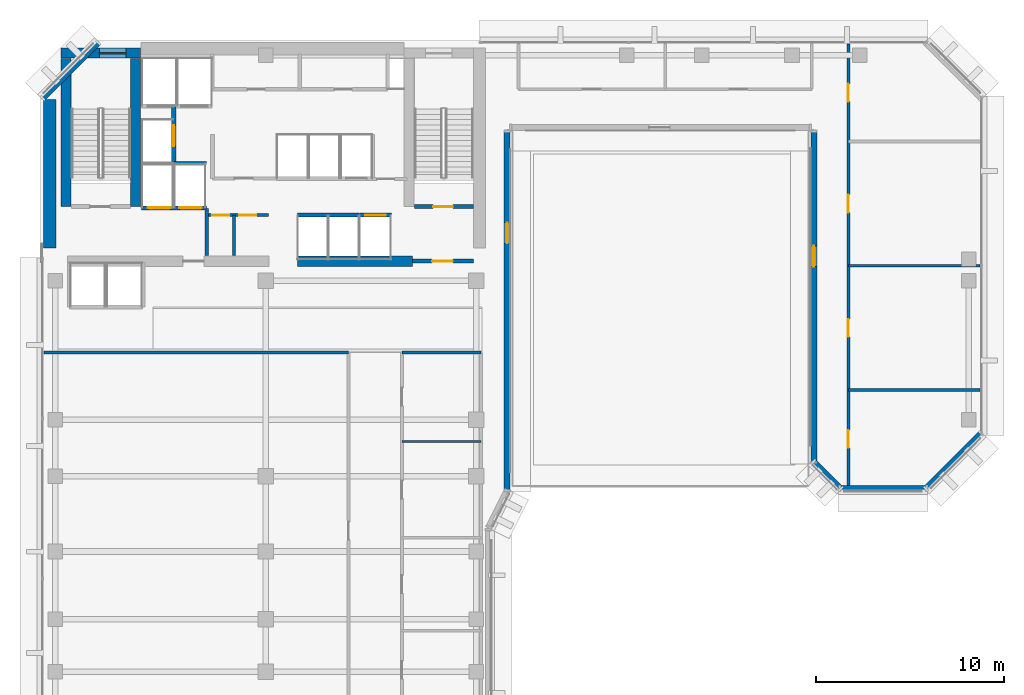
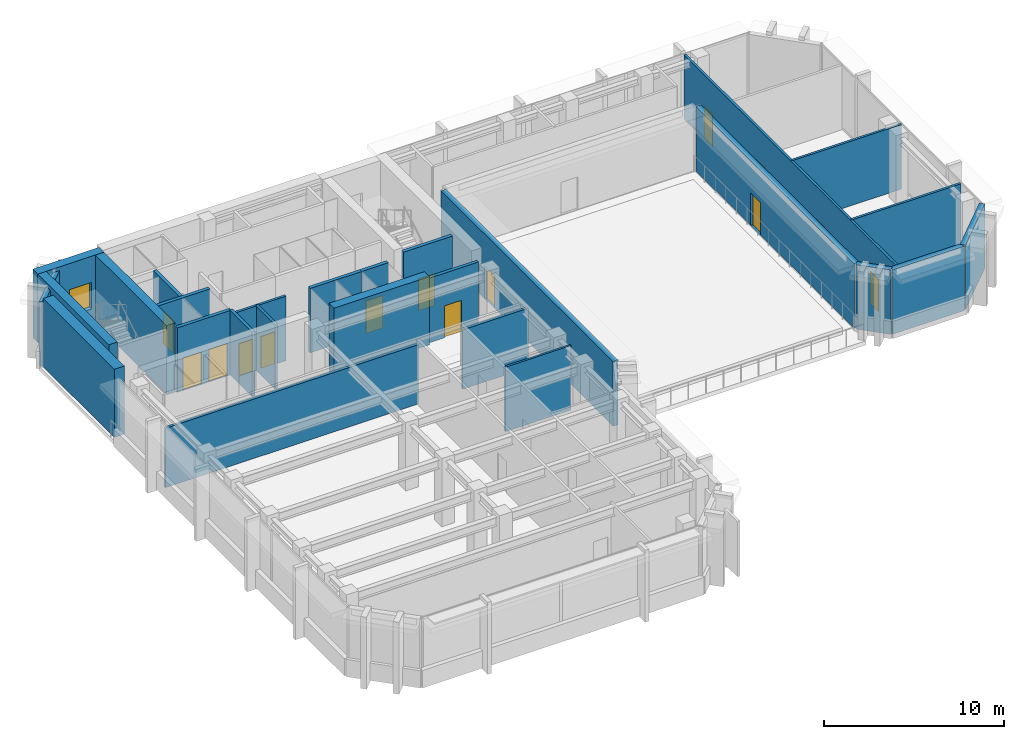
# One storey, part 7 of 12: 27 walls, 14 doors, 1 window, 15 openings.
"""IFC4 building model written with IfcOpenShell, lengths in metres."""

from ifc_helpers import new_model, si_unit, direction, frame, frame_2d, origin, place, context, subcontext, project, spatial, rectangle, extrude, material, layer, layer_set, type_object, element, fill, save


model = new_model("IFC4")

# Units and contexts
model_context = context("Model", 3, precision=1e-05, world=origin(), true_north=direction((0.0, 1.0)))
body_context = subcontext(model_context, "Body", "Model", "MODEL_VIEW")
ifc_project = project(units=[si_unit("LENGTHUNIT", "METRE"), si_unit("AREAUNIT", "SQUARE_METRE"), si_unit("VOLUMEUNIT", "CUBIC_METRE"), si_unit("PLANEANGLEUNIT", "RADIAN"), si_unit("MASSUNIT", "GRAM", prefix="KILO")], contexts=[model_context])

# Site, building, storey
site_placement = place(None, origin())
site = spatial("IfcSite", under=ifc_project, at=site_placement, CompositionType="ELEMENT")
building_placement = place(site_placement, origin())
building = spatial("IfcBuilding", under=site, at=building_placement, Name="Kefirva Bronze Tower", CompositionType="ELEMENT")
storey_placement = place(building_placement, frame((0.0, 0.0, 215.159912109375)))
storey = spatial("IfcBuildingStorey", under=building, at=storey_placement, Name="L52", CompositionType="ELEMENT", Elevation=215.159912109375)

# Wall
ifc_material_1 = material(Name="Gypsum acoustic partition")
ifc_layer_1 = layer(ifc_material_1, 0.1298828125, Name="Gypsum acoustic partition")
ifc_layer_set_1 = layer_set([ifc_layer_1], Name="Gypsum acoustic partition")
wall_type_1 = type_object("IfcWallType", Name="Acoustic Office Partition 130mm", PredefinedType="PARTITIONING", material=ifc_layer_set_1)
wall_1_placement = place(storey_placement, frame((19.239990234375, 24.64990234375, 0.0), z_axis=(0.0, 0.0, 1.0), x_axis=(1.0, 0.0, 0.0)))
element("IfcWall", 1, at=wall_1_placement, inside=storey, type_object=wall_type_1, Name="L52 Partition W-L52-SED3", PredefinedType="PARTITIONING", context=body_context, shape_type="SweptSolid", body=[
    extrude(rectangle(XDim=4.2099609375, YDim=0.1298828125, at=frame_2d((2.10498046875, 0.0))), origin(), (0.0, 0.0, 1.0), 4.3701171875),
])

# Wall, openings, doors
ifc_layer_2 = layer(ifc_material_1, 0.14990234375, Name="Gypsum acoustic partition")
ifc_layer_set_2 = layer_set([ifc_layer_2], Name="Gypsum acoustic partition")
wall_type_2 = type_object("IfcWallType", Name="Executive Suite Partition 150mm", PredefinedType="PARTITIONING", material=ifc_layer_set_2)
wall_2_placement = place(storey_placement, frame((43.0, 22.18994140625, 0.0), z_axis=(0.0, 0.0, 1.0), x_axis=(0.0, 1.0, 0.0)))
wall_2 = element("IfcWall", 2, at=wall_2_placement, inside=storey, type_object=wall_type_2, Name="L52 Partition W-L52-PVEST", PredefinedType="PARTITIONING", context=body_context, shape_type="SweptSolid", body=[
    extrude(rectangle(XDim=23.6201171875, YDim=0.14990234375, at=frame_2d((11.81005859375, 0.0))), origin(), (0.0, 0.0, 1.0), 4.3701171875),
])
opening_1_placement = place(wall_2_placement, frame((2.123291015625, 0.0, 0.0)))
opening_1 = element("IfcOpeningElement", 3, at=opening_1_placement, cuts=wall_2, Name="Opening L52-D-EPV1", PredefinedType="OPENING", context=body_context, shape_type="SweptSolid", body=[
    extrude(rectangle(XDim=0.949951171875, YDim=2.14990234375, at=frame_2d((0.47509765625, 1.074951171875))), frame((0.0, 0.0849609375, 0.0), z_axis=(0.0, -1.0, 0.0), x_axis=(1.0, 0.0, 0.0)), (0.0, 0.0, 1.0), 0.169921875),
])
opening_2_placement = place(wall_2_placement, frame((8.0283203125, 0.0, 0.0)))
opening_2 = element("IfcOpeningElement", 4, at=opening_2_placement, cuts=wall_2, Name="Opening L52-D-EPV2", PredefinedType="OPENING", context=body_context, shape_type="SweptSolid", body=[
    extrude(rectangle(XDim=0.949951171875, YDim=2.14990234375, at=frame_2d((0.47509765625, 1.074951171875))), frame((0.0, 0.0849609375, 0.0), z_axis=(0.0, -1.0, 0.0), x_axis=(1.0, 0.0, 0.0)), (0.0, 0.0, 1.0), 0.169921875),
])
opening_3_placement = place(wall_2_placement, frame((14.641845703125, 0.0, 0.0)))
opening_3 = element("IfcOpeningElement", 5, at=opening_3_placement, cuts=wall_2, Name="Opening L52-D-EPV3", PredefinedType="OPENING", context=body_context, shape_type="SweptSolid", body=[
    extrude(rectangle(XDim=0.949951171875, YDim=2.14990234375, at=frame_2d((0.47509765625, 1.074951171875))), frame((0.0, 0.0849609375, 0.0), z_axis=(0.0, -1.0, 0.0), x_axis=(1.0, 0.0, 0.0)), (0.0, 0.0, 1.0), 0.169921875),
])
opening_4_placement = place(wall_2_placement, frame((20.546875, 0.0, 0.0)))
opening_4 = element("IfcOpeningElement", 6, at=opening_4_placement, cuts=wall_2, Name="Opening L52-D-EPV4", PredefinedType="OPENING", context=body_context, shape_type="SweptSolid", body=[
    extrude(rectangle(XDim=0.949951171875, YDim=2.14990234375, at=frame_2d((0.47509765625, 1.074951171875))), frame((0.0, 0.0849609375, 0.0), z_axis=(0.0, -1.0, 0.0), x_axis=(1.0, 0.0, 0.0)), (0.0, 0.0, 1.0), 0.169921875),
])
ifc_material_2 = material(Name="Acoustic hardwood oak", Category="wood")
door_type_1 = type_object("IfcDoorType", Name="Office & Meeting Room Door 950x2150", OperationType="NOTDEFINED", PredefinedType="DOOR", material=ifc_material_2)
door_1_placement = place(opening_1_placement, origin())
door_1 = element("IfcDoor", 7, at=door_1_placement, inside=storey, type_object=door_type_1, Name="Door L52-D-EPV1", OperationType="SINGLE_SWING_LEFT", OverallHeight=2.14990234375, OverallWidth=0.949951171875, PredefinedType="DOOR", context=body_context, shape_type="SweptSolid", body=[
    extrude(rectangle(XDim=0.949951171875, YDim=2.14990234375, at=frame_2d((0.47509765625, 1.074951171875))), frame((0.0, 0.02490234375, 0.0), z_axis=(0.0, -1.0, 0.0), x_axis=(1.0, 0.0, 0.0)), (0.0, 0.0, 1.0), 0.050048828125),
])
fill(opening_1, door_1)
door_2_placement = place(opening_2_placement, origin())
door_2 = element("IfcDoor", 8, at=door_2_placement, inside=storey, type_object=door_type_1, Name="Door L52-D-EPV2", OperationType="SINGLE_SWING_RIGHT", OverallHeight=2.14990234375, OverallWidth=0.949951171875, PredefinedType="DOOR", context=body_context, shape_type="SweptSolid", body=[
    extrude(rectangle(XDim=0.949951171875, YDim=2.14990234375, at=frame_2d((0.47509765625, 1.074951171875))), frame((0.0, 0.02490234375, 0.0), z_axis=(0.0, -1.0, 0.0), x_axis=(1.0, 0.0, 0.0)), (0.0, 0.0, 1.0), 0.050048828125),
])
fill(opening_2, door_2)
door_3_placement = place(opening_3_placement, origin())
door_3 = element("IfcDoor", 9, at=door_3_placement, inside=storey, type_object=door_type_1, Name="Door L52-D-EPV3", OperationType="SINGLE_SWING_LEFT", OverallHeight=2.14990234375, OverallWidth=0.949951171875, PredefinedType="DOOR", context=body_context, shape_type="SweptSolid", body=[
    extrude(rectangle(XDim=0.949951171875, YDim=2.14990234375, at=frame_2d((0.47509765625, 1.074951171875))), frame((0.0, 0.02490234375, 0.0), z_axis=(0.0, -1.0, 0.0), x_axis=(1.0, 0.0, 0.0)), (0.0, 0.0, 1.0), 0.050048828125),
])
fill(opening_3, door_3)
door_4_placement = place(opening_4_placement, origin())
door_4 = element("IfcDoor", 10, at=door_4_placement, inside=storey, type_object=door_type_1, Name="Door L52-D-EPV4", OperationType="SINGLE_SWING_RIGHT", OverallHeight=2.14990234375, OverallWidth=0.949951171875, PredefinedType="DOOR", context=body_context, shape_type="SweptSolid", body=[
    extrude(rectangle(XDim=0.949951171875, YDim=2.14990234375, at=frame_2d((0.47509765625, 1.074951171875))), frame((0.0, 0.02490234375, 0.0), z_axis=(0.0, -1.0, 0.0), x_axis=(1.0, 0.0, 0.0)), (0.0, 0.0, 1.0), 0.050048828125),
])
fill(opening_4, door_4)

# Walls
for number, where, z_axis, x_axis, name in (
    (11, (43.0, 27.386474609375, 0.0), (0.0, 0.0, 1.0), (1.0, 0.0, 0.0), "L52 Partition W-L52-EPVD1"),
    (12, (43.0, 34.0, 0.0), (0.0, 0.0, 1.0), (1.0, 0.0, 0.0), "L52 Partition W-L52-EPVD2"),
):
    element("IfcWall", number, at=place(storey_placement, frame(where, z_axis=z_axis, x_axis=x_axis)), inside=storey, type_object=wall_type_2, Name=name, PredefinedType="PARTITIONING", context=body_context, shape_type="SweptSolid", body=[
        extrude(rectangle(XDim=7.010009765625, YDim=0.14990234375, at=frame_2d((3.5048828125, 0.0))), origin(), (0.0, 0.0, 1.0), 4.3701171875),
    ])

# Wall, opening, door
ifc_material_3 = material(Name="Gypsum fireboard shaftwall")
ifc_layer_3 = layer(ifc_material_3, 0.219970703125, Name="Gypsum fireboard shaftwall")
ifc_layer_set_3 = layer_set([ifc_layer_3], Name="Gypsum fireboard shaftwall")
wall_type_3 = type_object("IfcWallType", Name="Fire-Rated Shaft Enclosure Wall 220mm", PredefinedType="PARTITIONING", material=ifc_layer_set_3)
wall_3_placement = place(storey_placement, frame((19.89990234375, 37.14990234375, 0.0), z_axis=(0.0, 0.0, 1.0), x_axis=(1.0, 0.0, 0.0)))
wall_3 = element("IfcWall", 13, at=wall_3_placement, inside=storey, type_object=wall_type_3, Name="L52 Partition W-L52-ST2S", PredefinedType="PARTITIONING", context=body_context, shape_type="SweptSolid", body=[
    extrude(rectangle(XDim=3.150146484375, YDim=0.219970703125, at=frame_2d((1.5751953125, 0.0))), origin(), (0.0, 0.0, 1.0), 4.3701171875),
])
opening_5_placement = place(wall_3_placement, frame((2.050048828125, 0.0, 0.0), z_axis=(0.0, 0.0, 1.0), x_axis=(-1.0, 0.0, 0.0)))
opening_5 = element("IfcOpeningElement", 14, at=opening_5_placement, cuts=wall_3, Name="Opening L52-D003", PredefinedType="OPENING", context=body_context, shape_type="SweptSolid", body=[
    extrude(rectangle(XDim=1.050048828125, YDim=2.14990234375, at=frame_2d((0.52490234375, 1.074951171875))), frame((0.0, 0.1201171875, 0.0), z_axis=(0.0, -1.0, 0.0), x_axis=(1.0, 0.0, 0.0)), (0.0, 0.0, 1.0), 0.239990234375),
])
ifc_material_4 = material(Name="Painted galvanized steel", Category="steel")
door_type_2 = type_object("IfcDoorType", Name="Fire Stair Enclosure Door 1050x2150 FD90S", OperationType="NOTDEFINED", PredefinedType="DOOR", material=ifc_material_4)
door_5_placement = place(opening_5_placement, origin())
door_5 = element("IfcDoor", 15, at=door_5_placement, inside=storey, type_object=door_type_2, Name="Door L52-D003", OperationType="SINGLE_SWING_RIGHT", OverallHeight=2.14990234375, OverallWidth=1.050048828125, PredefinedType="DOOR", context=body_context, shape_type="SweptSolid", body=[
    extrude(rectangle(XDim=1.050048828125, YDim=2.14990234375, at=frame_2d((0.52490234375, 1.074951171875))), frame((0.0, 0.02490234375, 0.0), z_axis=(0.0, -1.0, 0.0), x_axis=(1.0, 0.0, 0.0)), (0.0, 0.0, 1.0), 0.050048828125),
])
fill(opening_5, door_5)

# Wall, openings, doors
wall_4_placement = place(storey_placement, frame((5.3798828125, 37.080078125, 0.0), z_axis=(0.0, 0.0, 1.0), x_axis=(1.0, 0.0, 0.0)))
wall_4 = element("IfcWall", 16, at=wall_4_placement, inside=storey, type_object=wall_type_3, Name="L52 Partition W-L52-FFS", PredefinedType="PARTITIONING", context=body_context, shape_type="SweptSolid", body=[
    extrude(rectangle(XDim=3.460205078125, YDim=0.219970703125, at=frame_2d((1.72998046875, 0.0))), origin(), (0.0, 0.0, 1.0), 4.3701171875),
])
opening_6_placement = place(wall_4_placement, frame((1.550048828125, 0.0, 0.0), z_axis=(0.0, 0.0, 1.0), x_axis=(-1.0, 0.0, 0.0)))
opening_6 = element("IfcOpeningElement", 17, at=opening_6_placement, cuts=wall_4, Name="Opening L52-LD-FF1", PredefinedType="OPENING", context=body_context, shape_type="SweptSolid", body=[
    extrude(rectangle(XDim=1.199951171875, YDim=2.199951171875, at=frame_2d((0.60009765625, 1.10009765625))), frame((0.0, 0.1201171875, 0.0), z_axis=(0.0, -1.0, 0.0), x_axis=(1.0, 0.0, 0.0)), (0.0, 0.0, 1.0), 0.239990234375),
])
opening_7_placement = place(wall_4_placement, frame((3.219970703125, 0.0, 0.0), z_axis=(0.0, 0.0, 1.0), x_axis=(-1.0, 0.0, 0.0)))
opening_7 = element("IfcOpeningElement", 18, at=opening_7_placement, cuts=wall_4, Name="Opening L52-LD-FF2", PredefinedType="OPENING", context=body_context, shape_type="SweptSolid", body=[
    extrude(rectangle(XDim=1.199951171875, YDim=2.199951171875, at=frame_2d((0.60009765625, 1.10009765625))), frame((0.0, 0.1201171875, 0.0), z_axis=(0.0, -1.0, 0.0), x_axis=(1.0, 0.0, 0.0)), (0.0, 0.0, 1.0), 0.239990234375),
])
ifc_material_5 = material(Name="Stainless steel 316", Category="steel")
door_type_3 = type_object("IfcDoorType", Name="Firefighting Lift Sliding Door 1200x2200", OperationType="SLIDING_TO_RIGHT", PredefinedType="DOOR", material=ifc_material_5)
door_6_placement = place(opening_6_placement, origin())
door_6 = element("IfcDoor", 19, at=door_6_placement, inside=storey, type_object=door_type_3, Name="Door L52-LD-FF1", OperationType="SLIDING_TO_RIGHT", OverallHeight=2.199951171875, OverallWidth=1.199951171875, PredefinedType="DOOR", context=body_context, shape_type="SweptSolid", body=[
    extrude(rectangle(XDim=1.199951171875, YDim=2.199951171875, at=frame_2d((0.60009765625, 1.10009765625))), frame((0.0, 0.02490234375, 0.0), z_axis=(0.0, -1.0, 0.0), x_axis=(1.0, 0.0, 0.0)), (0.0, 0.0, 1.0), 0.050048828125),
])
fill(opening_6, door_6)
door_7_placement = place(opening_7_placement, origin())
door_7 = element("IfcDoor", 20, at=door_7_placement, inside=storey, type_object=door_type_3, Name="Door L52-LD-FF2", OperationType="SLIDING_TO_RIGHT", OverallHeight=2.199951171875, OverallWidth=1.199951171875, PredefinedType="DOOR", context=body_context, shape_type="SweptSolid", body=[
    extrude(rectangle(XDim=1.199951171875, YDim=2.199951171875, at=frame_2d((0.60009765625, 1.10009765625))), frame((0.0, 0.02490234375, 0.0), z_axis=(0.0, -1.0, 0.0), x_axis=(1.0, 0.0, 0.0)), (0.0, 0.0, 1.0), 0.050048828125),
])
fill(opening_7, door_7)

# Wall
wall_5_placement = place(storey_placement, frame((5.3798828125, 39.449951171875, 0.0), z_axis=(0.0, 0.0, 1.0), x_axis=(1.0, 0.0, 0.0)))
element("IfcWall", 21, at=wall_5_placement, inside=storey, type_object=wall_type_3, Name="L52 Partition W-L52-FFN", PredefinedType="PARTITIONING", context=body_context, shape_type="SweptSolid", body=[
    extrude(rectangle(XDim=3.460205078125, YDim=0.219970703125, at=frame_2d((1.72998046875, 0.0))), origin(), (0.0, 0.0, 1.0), 4.3701171875),
])

# Wall, opening, door
wall_6_placement = place(storey_placement, frame((7.10009765625, 39.52001953125, 0.0), z_axis=(0.0, 0.0, 1.0), x_axis=(0.0, 1.0, 0.0)))
wall_6 = element("IfcWall", 22, at=wall_6_placement, inside=storey, type_object=wall_type_3, Name="L52 Partition W-L52-HP3E", PredefinedType="PARTITIONING", context=body_context, shape_type="SweptSolid", body=[
    extrude(rectangle(XDim=2.929931640625, YDim=0.219970703125, at=frame_2d((1.46484375, 0.0))), origin(), (0.0, 0.0, 1.0), 4.3701171875),
])
opening_8_placement = place(wall_6_placement, frame((0.85009765625, 0.0, 0.0)))
opening_8 = element("IfcOpeningElement", 23, at=opening_8_placement, cuts=wall_6, Name="Opening L52-LD-HP3", PredefinedType="OPENING", context=body_context, shape_type="SweptSolid", body=[
    extrude(rectangle(XDim=1.10009765625, YDim=2.199951171875, at=frame_2d((0.550048828125, 1.10009765625))), frame((0.0, 0.1201171875, 0.0), z_axis=(0.0, -1.0, 0.0), x_axis=(1.0, 0.0, 0.0)), (0.0, 0.0, 1.0), 0.239990234375),
])
door_type_4 = type_object("IfcDoorType", Name="Passenger Lift Sliding Landing Door 1100x2200", OperationType="SLIDING_TO_LEFT", PredefinedType="DOOR", material=ifc_material_5)
door_8_placement = place(opening_8_placement, origin())
door_8 = element("IfcDoor", 24, at=door_8_placement, inside=storey, type_object=door_type_4, Name="Door L52-LD-HP3", OperationType="SLIDING_TO_LEFT", OverallHeight=2.199951171875, OverallWidth=1.10009765625, PredefinedType="DOOR", context=body_context, shape_type="SweptSolid", body=[
    extrude(rectangle(XDim=1.10009765625, YDim=2.199951171875, at=frame_2d((0.550048828125, 1.10009765625))), frame((0.0, 0.02490234375, 0.0), z_axis=(0.0, -1.0, 0.0), x_axis=(1.0, 0.0, 0.0)), (0.0, 0.0, 1.0), 0.050048828125),
])
fill(opening_8, door_8)

# Wall
wall_7_placement = place(storey_placement, frame((13.679931640625, 36.699951171875, 0.0), z_axis=(0.0, 0.0, 1.0), x_axis=(1.0, 0.0, 0.0)))
element("IfcWall", 25, at=wall_7_placement, inside=storey, type_object=wall_type_3, Name="L52 Partition W-L52-MPS", PredefinedType="PARTITIONING", context=body_context, shape_type="SweptSolid", body=[
    extrude(rectangle(XDim=3.280029296875, YDim=0.219970703125, at=frame_2d((1.64013671875, 0.0))), origin(), (0.0, 0.0, 1.0), 4.3701171875),
])

# Wall, opening, door
wall_8_placement = place(storey_placement, frame((16.97998046875, 36.699951171875, 0.0), z_axis=(0.0, 0.0, 1.0), x_axis=(1.0, 0.0, 0.0)))
wall_8 = element("IfcWall", 26, at=wall_8_placement, inside=storey, type_object=wall_type_3, Name="L52 Partition W-L52-HPS", PredefinedType="PARTITIONING", context=body_context, shape_type="SweptSolid", body=[
    extrude(rectangle(XDim=1.699951171875, YDim=0.219970703125, at=frame_2d((0.85009765625, 0.0))), origin(), (0.0, 0.0, 1.0), 4.3701171875),
])
opening_9_placement = place(wall_8_placement, frame((0.300048828125, 0.0, 0.0)))
opening_9 = element("IfcOpeningElement", 27, at=opening_9_placement, cuts=wall_8, Name="Opening L52-LD-HP1", PredefinedType="OPENING", context=body_context, shape_type="SweptSolid", body=[
    extrude(rectangle(XDim=1.10009765625, YDim=2.199951171875, at=frame_2d((0.550048828125, 1.10009765625))), frame((0.0, 0.1201171875, 0.0), z_axis=(0.0, -1.0, 0.0), x_axis=(1.0, 0.0, 0.0)), (0.0, 0.0, 1.0), 0.239990234375),
])
door_9_placement = place(opening_9_placement, origin())
door_9 = element("IfcDoor", 28, at=door_9_placement, inside=storey, type_object=door_type_4, Name="Door L52-LD-HP1", OperationType="SLIDING_TO_LEFT", OverallHeight=2.199951171875, OverallWidth=1.10009765625, PredefinedType="DOOR", context=body_context, shape_type="SweptSolid", body=[
    extrude(rectangle(XDim=1.10009765625, YDim=2.199951171875, at=frame_2d((0.550048828125, 1.10009765625))), frame((0.0, 0.02490234375, 0.0), z_axis=(0.0, -1.0, 0.0), x_axis=(1.0, 0.0, 0.0)), (0.0, 0.0, 1.0), 0.050048828125),
])
fill(opening_9, door_9)

# Wall
ifc_material_6 = material(Name="Gypsum fireboard barrier")
ifc_layer_4 = layer(ifc_material_6, 0.199951171875, Name="Gypsum fireboard barrier")
ifc_layer_set_4 = layer_set([ifc_layer_4], Name="Gypsum fireboard barrier")
wall_type_4 = type_object("IfcWallType", Name="Firefighting Lobby Barrier Wall 200mm", PredefinedType="PARTITIONING", material=ifc_layer_set_4)
wall_9_placement = place(storey_placement, frame((8.860107421875, 34.550048828125, 0.0), z_axis=(0.0, 0.0, 1.0), x_axis=(0.0, 1.0, 0.0)))
element("IfcWall", 29, at=wall_9_placement, inside=storey, type_object=wall_type_4, Name="L52 Partition W-L52-FFLE", PredefinedType="PARTITIONING", context=body_context, shape_type="SweptSolid", body=[
    extrude(rectangle(XDim=2.5, YDim=0.199951171875, at=frame_2d((1.25, 0.0))), origin(), (0.0, 0.0, 1.0), 4.3701171875),
])

# Wall, opening, door
wall_10_placement = place(storey_placement, frame((19.800048828125, 34.25, 0.0), z_axis=(0.0, 0.0, 1.0), x_axis=(1.0, 0.0, 0.0)))
wall_10 = element("IfcWall", 30, at=wall_10_placement, inside=storey, type_object=wall_type_4, Name="L52 Partition W-L52-ST2F", PredefinedType="PARTITIONING", context=body_context, shape_type="SweptSolid", body=[
    extrude(rectangle(XDim=3.25, YDim=0.199951171875, at=frame_2d((1.625, 0.0))), origin(), (0.0, 0.0, 1.0), 4.3701171875),
])
opening_10_placement = place(wall_10_placement, frame((2.150146484375, 0.0, 0.0), z_axis=(0.0, 0.0, 1.0), x_axis=(-1.0, 0.0, 0.0)))
opening_10 = element("IfcOpeningElement", 31, at=opening_10_placement, cuts=wall_10, Name="Opening L52-D004", PredefinedType="OPENING", context=body_context, shape_type="SweptSolid", body=[
    extrude(rectangle(XDim=1.10009765625, YDim=2.14990234375, at=frame_2d((0.550048828125, 1.074951171875))), frame((0.0, 0.10986328125, 0.0), z_axis=(0.0, -1.0, 0.0), x_axis=(1.0, 0.0, 0.0)), (0.0, 0.0, 1.0), 0.219970703125),
])
door_type_5 = type_object("IfcDoorType", Name="Firefighting Lobby Smoke Door 1100x2150 FD60S", OperationType="NOTDEFINED", PredefinedType="DOOR", material=ifc_material_4)
door_10_placement = place(opening_10_placement, origin())
door_10 = element("IfcDoor", 32, at=door_10_placement, inside=storey, type_object=door_type_5, Name="Door L52-D004", OperationType="SINGLE_SWING_LEFT", OverallHeight=2.14990234375, OverallWidth=1.10009765625, PredefinedType="DOOR", context=body_context, shape_type="SweptSolid", body=[
    extrude(rectangle(XDim=1.10009765625, YDim=2.14990234375, at=frame_2d((0.550048828125, 1.074951171875))), frame((0.0, 0.02490234375, 0.0), z_axis=(0.0, -1.0, 0.0), x_axis=(1.0, 0.0, 0.0)), (0.0, 0.0, 1.0), 0.050048828125),
])
fill(opening_10, door_10)

ifc_material_7 = material(Name="Precast concrete C40/50", Category="concrete")
ifc_layer_5 = layer(ifc_material_7, 0.320068359375, Name="Precast concrete C40/50")
ifc_layer_set_5 = layer_set([ifc_layer_5], Name="Precast concrete C40/50")
wall_type_5 = type_object("IfcWallType", Name="Precast Insulated Exterior Wall 320mm", PredefinedType="SOLIDWALL", material=ifc_layer_set_5)
wall_11_placement = place(storey_placement, frame((24.840087890625, 22.054931640625, 0.0), z_axis=(0.0, 0.0, 1.0), x_axis=(0.0, 1.0, 0.0)))
wall_11 = element("IfcWall", 33, at=wall_11_placement, inside=storey, type_object=wall_type_5, Name="L52 Exterior Facade Wall 4", PredefinedType="SOLIDWALL", context=body_context, shape_type="SweptSolid", body=[
    extrude(rectangle(XDim=19.090087890625, YDim=0.320068359375, at=frame_2d((9.544921875, 0.0))), origin(), (0.0, 0.0, 1.0), 4.3701171875),
])
opening_11_placement = place(wall_11_placement, frame((14.244873046875, 0.0, 0.0), z_axis=(0.0, 0.0, 1.0), x_axis=(-1.0, 0.0, 0.0)))
opening_11 = element("IfcOpeningElement", 34, at=opening_11_placement, cuts=wall_11, Name="Opening D-TR1", PredefinedType="OPENING", context=body_context, shape_type="SweptSolid", body=[
    extrude(rectangle(XDim=1.10009765625, YDim=2.199951171875, at=frame_2d((0.550048828125, 1.10009765625))), frame((0.0, 0.169921875, 0.0), z_axis=(0.0, -1.0, 0.0), x_axis=(1.0, 0.0, 0.0)), (0.0, 0.0, 1.0), 0.340087890625),
])
ifc_material_8 = material(Name="Bronze anodised aluminium", Category="aluminium")
door_type_6 = type_object("IfcDoorType", Name="Exterior Sky-Terrace Glazed Door 1100x2200", OperationType="NOTDEFINED", PredefinedType="DOOR", material=ifc_material_8)
door_11_placement = place(opening_11_placement, origin())
door_11 = element("IfcDoor", 35, at=door_11_placement, inside=storey, type_object=door_type_6, Name="L52 Sky-Garden Terrace Access Door", OperationType="SINGLE_SWING_LEFT", OverallHeight=2.199951171875, OverallWidth=1.10009765625, PredefinedType="DOOR", context=body_context, shape_type="SweptSolid", body=[
    extrude(rectangle(XDim=1.10009765625, YDim=2.199951171875, at=frame_2d((0.550048828125, 1.10009765625))), frame((0.0, 0.02490234375, 0.0), z_axis=(0.0, -1.0, 0.0), x_axis=(1.0, 0.0, 0.0)), (0.0, 0.0, 1.0), 0.050048828125),
])
fill(opening_11, door_11)

wall_12_placement = place(storey_placement, frame((41.159912109375, 41.14501953125, 0.0), z_axis=(0.0, 0.0, 1.0), x_axis=(0.0, -1.0, 0.0)))
wall_12 = element("IfcWall", 36, at=wall_12_placement, inside=storey, type_object=wall_type_5, Name="L52 Exterior Facade Wall 6", PredefinedType="SOLIDWALL", context=body_context, shape_type="SweptSolid", body=[
    extrude(rectangle(XDim=17.590087890625, YDim=0.320068359375, at=frame_2d((8.794921875, 0.0))), origin(), (0.0, 0.0, 1.0), 4.3701171875),
])
opening_12_placement = place(wall_12_placement, frame((7.184326171875, 0.0, 0.0), z_axis=(0.0, 0.0, 1.0), x_axis=(-1.0, 0.0, 0.0)))
opening_12 = element("IfcOpeningElement", 37, at=opening_12_placement, cuts=wall_12, Name="Opening D-TR1", PredefinedType="OPENING", context=body_context, shape_type="SweptSolid", body=[
    extrude(rectangle(XDim=1.10009765625, YDim=2.199951171875, at=frame_2d((0.550048828125, 1.10009765625))), frame((0.0, 0.169921875, 0.0), z_axis=(0.0, -1.0, 0.0), x_axis=(1.0, 0.0, 0.0)), (0.0, 0.0, 1.0), 0.340087890625),
])
door_12_placement = place(opening_12_placement, origin())
door_12 = element("IfcDoor", 38, at=door_12_placement, inside=storey, type_object=door_type_6, Name="L52 Sky-Garden Terrace Access Door", OperationType="SINGLE_SWING_LEFT", OverallHeight=2.199951171875, OverallWidth=1.10009765625, PredefinedType="DOOR", context=body_context, shape_type="SweptSolid", body=[
    extrude(rectangle(XDim=1.10009765625, YDim=2.199951171875, at=frame_2d((0.550048828125, 1.10009765625))), frame((0.0, 0.02490234375, 0.0), z_axis=(0.0, -1.0, 0.0), x_axis=(1.0, 0.0, 0.0)), (0.0, 0.0, 1.0), 0.050048828125),
])
fill(opening_12, door_12)

# Walls
wall_13_placement = place(storey_placement, frame((41.152099609375, 23.57421875, 0.0), z_axis=(0.0, 0.0, 1.0), x_axis=(0.707106781187, -0.707106781187, 0.0)))
element("IfcWall", 39, at=wall_13_placement, inside=storey, type_object=wall_type_5, Name="L52 Exterior Facade Wall 7", PredefinedType="SOLIDWALL", context=body_context, shape_type="SweptSolid", body=[
    extrude(rectangle(XDim=2.01123046875, YDim=0.320068359375, at=frame_2d((1.005615234375, 0.0))), origin(), (0.0, 0.0, 1.0), 4.3701171875),
])
wall_14_placement = place(storey_placement, frame((42.554931640625, 22.159912109375, 0.0), z_axis=(0.0, 0.0, 1.0), x_axis=(1.0, 0.0, 0.0)))
element("IfcWall", 40, at=wall_14_placement, inside=storey, type_object=wall_type_5, Name="L52 Exterior Facade Wall 8", PredefinedType="SOLIDWALL", context=body_context, shape_type="SweptSolid", body=[
    extrude(rectangle(XDim=4.590087890625, YDim=0.320068359375, at=frame_2d((2.294921875, 0.0))), origin(), (0.0, 0.0, 1.0), 4.3701171875),
])
for number, where, z_axis, x_axis, name in (
    (41, (47.125732421875, 22.152099609375, 0.0), (0.0, 0.0, 1.0), (0.707136318428, 0.707077242712, 0.0), "L52 Exterior Facade Wall 9"),
    (42, (3.07421875, 45.847900390625, 0.0), (0.0, 0.0, 1.0), (-0.707106781187, -0.707106781187, 0.0), "L52 Exterior Facade Wall 11"),
):
    element("IfcWall", number, at=place(storey_placement, frame(where, z_axis=z_axis, x_axis=x_axis)), inside=storey, type_object=wall_type_5, Name=name, PredefinedType="SOLIDWALL", context=body_context, shape_type="SweptSolid", body=[
        extrude(rectangle(XDim=4.132568359375, YDim=0.320068359375, at=frame_2d((2.06640625, 0.0))), origin(), (0.0, 0.0, 1.0), 4.3701171875),
    ])

# Wall, openings, doors
ifc_layer_6 = layer(ifc_material_1, 0.159912109375, Name="Gypsum acoustic partition")
ifc_layer_set_6 = layer_set([ifc_layer_6], Name="Gypsum acoustic partition")
wall_type_6 = type_object("IfcWallType", Name="Protected Corridor Partition 160mm", PredefinedType="PARTITIONING", material=ifc_layer_set_6)
wall_15_placement = place(storey_placement, frame((8.89990234375, 36.699951171875, 0.0), z_axis=(0.0, 0.0, 1.0), x_axis=(1.0, 0.0, 0.0)))
wall_15 = element("IfcWall", 43, at=wall_15_placement, inside=storey, type_object=wall_type_6, Name="L52 Partition W-L52-RECLP1", PredefinedType="PARTITIONING", context=body_context, shape_type="SweptSolid", body=[
    extrude(rectangle(XDim=3.25, YDim=0.159912109375, at=frame_2d((1.625, 0.0))), origin(), (0.0, 0.0, 1.0), 4.3701171875),
])
opening_13_placement = place(wall_15_placement, frame((0.260009765625, 0.0, 0.0)))
opening_13 = element("IfcOpeningElement", 44, at=opening_13_placement, cuts=wall_15, Name="Opening L52-D-RECLP1A", PredefinedType="OPENING", context=body_context, shape_type="SweptSolid", body=[
    extrude(rectangle(XDim=0.89990234375, YDim=2.14990234375, at=frame_2d((0.449951171875, 1.074951171875))), frame((0.0, 0.08984375, 0.0), z_axis=(0.0, -1.0, 0.0), x_axis=(1.0, 0.0, 0.0)), (0.0, 0.0, 1.0), 0.179931640625),
])
opening_14_placement = place(wall_15_placement, frame((1.679931640625, 0.0, 0.0)))
opening_14 = element("IfcOpeningElement", 45, at=opening_14_placement, cuts=wall_15, Name="Opening L52-D-RECLP1B", PredefinedType="OPENING", context=body_context, shape_type="SweptSolid", body=[
    extrude(rectangle(XDim=0.89990234375, YDim=2.14990234375, at=frame_2d((0.449951171875, 1.074951171875))), frame((0.0, 0.08984375, 0.0), z_axis=(0.0, -1.0, 0.0), x_axis=(1.0, 0.0, 0.0)), (0.0, 0.0, 1.0), 0.179931640625),
])
door_type_7 = type_object("IfcDoorType", Name="Core Archive & Server Fire Door 900x2150 FD60S", OperationType="NOTDEFINED", PredefinedType="DOOR", material=ifc_material_4)
door_13_placement = place(opening_13_placement, origin())
door_13 = element("IfcDoor", 46, at=door_13_placement, inside=storey, type_object=door_type_7, Name="Door L52-D-RECLP1A", OperationType="SINGLE_SWING_LEFT", OverallHeight=2.14990234375, OverallWidth=0.89990234375, PredefinedType="DOOR", context=body_context, shape_type="SweptSolid", body=[
    extrude(rectangle(XDim=0.89990234375, YDim=2.14990234375, at=frame_2d((0.449951171875, 1.074951171875))), frame((0.0, 0.02490234375, 0.0), z_axis=(0.0, -1.0, 0.0), x_axis=(1.0, 0.0, 0.0)), (0.0, 0.0, 1.0), 0.050048828125),
])
fill(opening_13, door_13)
door_14_placement = place(opening_14_placement, origin())
door_14 = element("IfcDoor", 47, at=door_14_placement, inside=storey, type_object=door_type_7, Name="Door L52-D-RECLP1B", OperationType="SINGLE_SWING_RIGHT", OverallHeight=2.14990234375, OverallWidth=0.89990234375, PredefinedType="DOOR", context=body_context, shape_type="SweptSolid", body=[
    extrude(rectangle(XDim=0.89990234375, YDim=2.14990234375, at=frame_2d((0.449951171875, 1.074951171875))), frame((0.0, 0.02490234375, 0.0), z_axis=(0.0, -1.0, 0.0), x_axis=(1.0, 0.0, 0.0)), (0.0, 0.0, 1.0), 0.050048828125),
])
fill(opening_14, door_14)

# Walls
wall_16_placement = place(storey_placement, frame((10.320068359375, 34.550048828125, 0.0), z_axis=(0.0, 0.0, 1.0), x_axis=(0.0, 1.0, 0.0)))
element("IfcWall", 48, at=wall_16_placement, inside=storey, type_object=wall_type_6, Name="L52 Partition W-L52-RECLP1D", PredefinedType="PARTITIONING", context=body_context, shape_type="SweptSolid", body=[
    extrude(rectangle(XDim=2.14990234375, YDim=0.159912109375, at=frame_2d((1.074951171875, 0.0))), origin(), (0.0, 0.0, 1.0), 4.3701171875),
])
wall_17_placement = place(storey_placement, frame((0.18994140625, 29.39990234375, 0.0), z_axis=(0.0, 0.0, 1.0), x_axis=(1.0, 0.0, 0.0)))
element("IfcWall", 49, at=wall_17_placement, inside=storey, type_object=wall_type_6, Name="L52 Partition W-L52-NWT", PredefinedType="PARTITIONING", context=body_context, shape_type="SweptSolid", body=[
    extrude(rectangle(XDim=16.2099609375, YDim=0.159912109375, at=frame_2d((8.10498046875, 0.0))), origin(), (0.0, 0.0, 1.0), 4.025146484375),
])
wall_18_placement = place(storey_placement, frame((19.239990234375, 29.39990234375, 0.0), z_axis=(0.0, 0.0, 1.0), x_axis=(1.0, 0.0, 0.0)))
element("IfcWall", 50, at=wall_18_placement, inside=storey, type_object=wall_type_6, Name="L52 Partition W-L52-NET", PredefinedType="PARTITIONING", context=body_context, shape_type="SweptSolid", body=[
    extrude(rectangle(XDim=4.2099609375, YDim=0.159912109375, at=frame_2d((2.10498046875, 0.0))), origin(), (0.0, 0.0, 1.0), 4.025146484375),
])

# Wall, opening, window
ifc_material_9 = material(Name="Concrete C50/60", Category="concrete")
ifc_layer_7 = layer(ifc_material_9, 0.550048828125, Name="Concrete C50/60")
ifc_layer_set_7 = layer_set([ifc_layer_7], Name="Concrete C50/60")
wall_type_7 = type_object("IfcWallType", Name="RC Rear Core Exterior Wall 550mm", PredefinedType="SHEAR", material=ifc_layer_set_7)
wall_19_placement = place(storey_placement, frame((1.10009765625, 45.320068359375, 0.0), z_axis=(0.0, 0.0, 1.0), x_axis=(1.0, 0.0, 0.0)))
wall_19 = element("IfcWall", 51, at=wall_19_placement, inside=storey, type_object=wall_type_7, Name="L52 Stair 1 North Shear Wall", PredefinedType="SHEAR", context=body_context, shape_type="SweptSolid", body=[
    extrude(rectangle(XDim=4.239990234375, YDim=0.550048828125, at=frame_2d((2.1201171875, 0.0))), origin(), (0.0, 0.0, 1.0), 4.6201171875),
])
opening_15_placement = place(wall_19_placement, frame((2.050048828125, 0.0, 1.050048828125)))
opening_15 = element("IfcOpeningElement", 52, at=opening_15_placement, cuts=wall_19, Name="Opening WN-03", PredefinedType="OPENING", context=body_context, shape_type="SweptSolid", body=[
    extrude(rectangle(XDim=1.39990234375, YDim=1.800048828125, at=frame_2d((0.699951171875, 0.89990234375))), frame((0.0, 0.28515625, 0.0), z_axis=(0.0, -1.0, 0.0), x_axis=(1.0, 0.0, 0.0)), (0.0, 0.0, 1.0), 0.570068359375),
])
ifc_material_10 = material(Name="Laminated low-E double glazing", Category="glass")
window_type = type_object("IfcWindowType", Name="Rear-Core Stair Daylight Window 1400x1800", PartitioningType="SINGLE_PANEL", PredefinedType="WINDOW", material=ifc_material_10)
window_placement = place(opening_15_placement, origin())
window = element("IfcWindow", 53, at=window_placement, inside=storey, type_object=window_type, Name="L52 Stair 1 Daylight Window", OverallHeight=1.800048828125, OverallWidth=1.39990234375, PartitioningType="SINGLE_PANEL", PredefinedType="WINDOW", context=body_context, shape_type="SweptSolid", body=[
    extrude(rectangle(XDim=1.39990234375, YDim=1.800048828125, at=frame_2d((0.699951171875, 0.89990234375))), frame((0.0, 0.030029296875, 0.0), z_axis=(0.0, -1.0, 0.0), x_axis=(1.0, 0.0, 0.0)), (0.0, 0.0, 1.0), 0.06005859375),
])
fill(opening_15, window)

# Walls
ifc_layer_8 = layer(ifc_material_9, 0.64990234375, Name="Concrete C50/60")
ifc_layer_set_8 = layer_set([ifc_layer_8], Name="Concrete C50/60")
wall_type_8 = type_object("IfcWallType", Name="RC Rear Core Exterior Wall 650mm", PredefinedType="SHEAR", material=ifc_layer_set_8)
wall_20_placement = place(storey_placement, frame((0.5, 34.949951171875, 0.0), z_axis=(0.0, 0.0, 1.0), x_axis=(0.0, 1.0, 0.0)))
element("IfcWall", 54, at=wall_20_placement, inside=storey, type_object=wall_type_8, Name="L52 Rear Core West Shear Wall", PredefinedType="SHEAR", context=body_context, shape_type="SweptSolid", body=[
    extrude(rectangle(XDim=7.900146484375, YDim=0.64990234375, at=frame_2d((3.9501953125, 0.0))), origin(), (0.0, 0.0, 1.0), 4.6201171875),
])
ifc_layer_9 = layer(ifc_material_9, 0.550048828125, Name="Concrete C50/60")
ifc_layer_set_9 = layer_set([ifc_layer_9], Name="Concrete C50/60")
wall_type_9 = type_object("IfcWallType", Name="RC Rear Core Interior Wall 550mm", PredefinedType="SHEAR", material=ifc_layer_set_9)
for number, where, z_axis, x_axis, name in (
    (55, (1.3701171875, 37.14990234375, 0.0), (0.0, 0.0, 1.0), (0.0, 1.0, 0.0), "L52 Stair 1 West Shear Wall"),
    (56, (5.070068359375, 37.14990234375, 0.0), (0.0, 0.0, 1.0), (0.0, 1.0, 0.0), "L52 Stair 1 East Shear Wall"),
):
    element("IfcWall", number, at=place(storey_placement, frame(where, z_axis=z_axis, x_axis=x_axis)), inside=storey, type_object=wall_type_9, Name=name, PredefinedType="SHEAR", context=body_context, shape_type="SweptSolid", body=[
        extrude(rectangle(XDim=7.89013671875, YDim=0.550048828125, at=frame_2d((3.945068359375, 0.0))), origin(), (0.0, 0.0, 1.0), 4.6201171875),
    ])
ifc_layer_10 = layer(ifc_material_9, 0.64990234375, Name="Concrete C50/60")
ifc_layer_set_10 = layer_set([ifc_layer_10], Name="Concrete C50/60")
wall_type_10 = type_object("IfcWallType", Name="RC Rear Core Interior Wall 650mm", PredefinedType="SHEAR", material=ifc_layer_set_10)
wall_21_placement = place(storey_placement, frame((13.679931640625, 34.25, 0.0), z_axis=(0.0, 0.0, 1.0), x_axis=(1.0, 0.0, 0.0)))
element("IfcWall", 57, at=wall_21_placement, inside=storey, type_object=wall_type_10, Name="L52 Rear Core South-East Shear Wall", PredefinedType="SHEAR", context=body_context, shape_type="SweptSolid", body=[
    extrude(rectangle(XDim=6.1201171875, YDim=0.550048828125, at=frame_2d((3.06005859375, 0.0))), origin(), (0.0, 0.0, 1.0), 4.6201171875),
])

save(model, "model.ifc")
